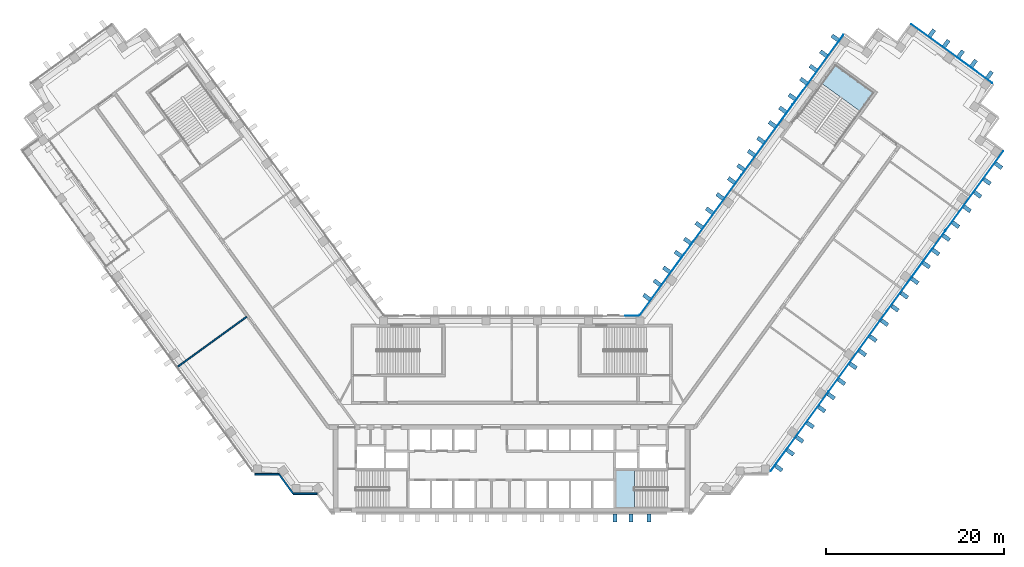
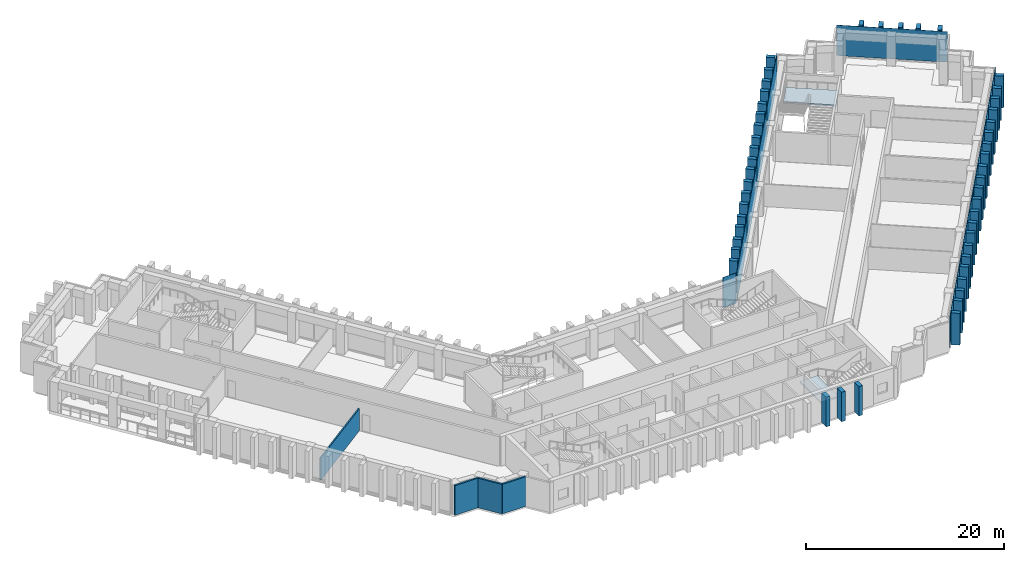
"""IFC4 building model written with IfcOpenShell, lengths in metres."""

from ifc_helpers import new_model, si_unit, direction, frame, frame_2d, origin, origin_2d, place, context, subcontext, project, spatial, polyline, rectangle, outline, extrude, material, layer, layer_set, type_object, element, aggregate, save


model = new_model("IFC4")

# Units and contexts
model_context = context("Model", 3, precision=1e-05, world=origin(), true_north=direction((0.0, 1.0)))
body_context = subcontext(model_context, "Body", "Model", "MODEL_VIEW")
ifc_project = project(units=[si_unit("LENGTHUNIT", "METRE"), si_unit("AREAUNIT", "SQUARE_METRE"), si_unit("VOLUMEUNIT", "CUBIC_METRE"), si_unit("PLANEANGLEUNIT", "RADIAN"), si_unit("MASSUNIT", "GRAM", prefix="KILO")], contexts=[model_context])

# Site, building, storey
site_placement = place(None, origin())
site = spatial("IfcSite", under=ifc_project, at=site_placement, CompositionType="ELEMENT")
building_placement = place(site_placement, origin())
building = spatial("IfcBuilding", under=site, at=building_placement, Name="Quipu Civic Tower", CompositionType="ELEMENT")
storey_1_placement = place(building_placement, frame((0.0, 0.0, 35.0)))
storey_1 = spatial("IfcBuildingStorey", under=building, at=storey_1_placement, Name="L07", CompositionType="ELEMENT", Elevation=35.0)

# Curtain wall
ifc_material_1 = material(Name="Insulated glass unit", Category="glass")
curtain_wall_type = type_object("IfcCurtainWallType", Name="Office curtain wall CW1", PredefinedType="NOTDEFINED", material=ifc_material_1)
curtain_wall_1_placement = place(storey_1_placement, origin())
curtain_wall_1 = element("IfcCurtainWall", 1, at=curtain_wall_1_placement, inside=storey_1, type_object=curtain_wall_type, Name="Office curtain wall CW1 L06 run 16", PredefinedType="NOTDEFINED")

# Storey
storey_2_placement = place(building_placement, frame((0.0, 0.0, 39.0)))
storey_2 = spatial("IfcBuildingStorey", under=building, at=storey_2_placement, Name="L08", CompositionType="ELEMENT", Elevation=39.0)

# Plate
ifc_material_2 = material(Name="Insulated glass unit", Category="glass")
ifc_layer_1 = layer(ifc_material_2, 0.028076171875)
ifc_layer_set_1 = layer_set([ifc_layer_1], Name="Insulated glass unit")
plate_type_1 = type_object("IfcPlateType", Name="Glass panel CW1", PredefinedType="CURTAIN_PANEL", material=ifc_layer_set_1)
plate_1_placement = place(storey_2_placement, frame((32.342529296875, -1.896484375, 0.16015625), z_axis=(0.0, 0.0, 1.0), x_axis=(0.587785559869, 0.809016770908, 0.0)))
plate_1 = element("IfcPlate", 2, at=plate_1_placement, inside=storey_2, type_object=plate_type_1, Name="CW1 panel 1.3", PredefinedType="CURTAIN_PANEL", context=body_context, shape_type="SweptSolid", body=[
    extrude(rectangle(XDim=11.022705078125, YDim=0.028076171875, at=origin_2d()), origin(), (0.0, 0.0, 1.0), 3.760009765625),
])

plate_2_placement = place(storey_2_placement, frame((38.880126953125, 7.101806640625, 0.16015625), z_axis=(0.0, 0.0, 1.0), x_axis=(0.587785559869, 0.809016770908, 0.0)))
plate_2 = element("IfcPlate", 3, at=plate_2_placement, inside=storey_2, type_object=plate_type_1, Name="CW1 panel 2.3", PredefinedType="CURTAIN_PANEL", context=body_context, shape_type="SweptSolid", body=[
    extrude(rectangle(XDim=11.062744140625, YDim=0.028076171875, at=origin_2d()), origin(), (0.0, 0.0, 1.0), 3.760009765625),
])

plate_3_placement = place(storey_2_placement, frame((45.4296875, 16.11669921875, 0.16015625), z_axis=(0.0, 0.0, 1.0), x_axis=(0.587785559869, 0.809016770908, 0.0)))
plate_3 = element("IfcPlate", 4, at=plate_3_placement, inside=storey_2, type_object=plate_type_1, Name="CW1 panel 3.3", PredefinedType="CURTAIN_PANEL", context=body_context, shape_type="SweptSolid", body=[
    extrude(rectangle(XDim=11.062744140625, YDim=0.028076171875, at=origin_2d()), origin(), (0.0, 0.0, 1.0), 3.760009765625),
])

plate_4_placement = place(storey_2_placement, frame((51.967529296875, 25.114990234375, 0.16015625), z_axis=(0.0, 0.0, 1.0), x_axis=(0.587785559869, 0.809016770908, 0.0)))
plate_4 = element("IfcPlate", 5, at=plate_4_placement, inside=storey_2, type_object=plate_type_1, Name="CW1 panel 4.3", PredefinedType="CURTAIN_PANEL", context=body_context, shape_type="SweptSolid", body=[
    extrude(rectangle(XDim=11.022705078125, YDim=0.028076171875, at=origin_2d()), origin(), (0.0, 0.0, 1.0), 3.760009765625),
])

aggregate(curtain_wall_1, [plate_1, plate_2, plate_3, plate_4])

# Curtain wall, plate
curtain_wall_2_placement = place(storey_1_placement, origin())
curtain_wall_2 = element("IfcCurtainWall", 6, at=curtain_wall_2_placement, inside=storey_1, type_object=curtain_wall_type, Name="Office curtain wall CW1 L06 run 21", PredefinedType="NOTDEFINED")
plate_5_placement = place(storey_2_placement, frame((49.447998046875, 40.53173828125, 0.16015625), z_axis=(0.0, 0.0, 1.0), x_axis=(-0.809019348124, 0.587782012621, 0.0)))
plate_5 = element("IfcPlate", 7, at=plate_5_placement, inside=storey_2, type_object=plate_type_1, Name="CW1 panel 1.3", PredefinedType="CURTAIN_PANEL", context=body_context, shape_type="SweptSolid", body=[
    extrude(rectangle(XDim=11.239990234375, YDim=0.028076171875, at=origin_2d()), origin(), (0.0, 0.0, 1.0), 3.760009765625),
])
aggregate(curtain_wall_2, [plate_5])

# Curtain wall, plates
curtain_wall_3_placement = place(storey_1_placement, origin())
curtain_wall_3 = element("IfcCurtainWall", 8, at=curtain_wall_3_placement, inside=storey_1, type_object=curtain_wall_type, Name="Office curtain wall CW1 L06 run 26", PredefinedType="NOTDEFINED")
plate_6_placement = place(storey_2_placement, frame((34.413330078125, 38.722900390625, 0.16015625), z_axis=(0.0, 0.0, 1.0), x_axis=(-0.587785887566, -0.809016532822, 0.0)))
plate_6 = element("IfcPlate", 9, at=plate_6_placement, inside=storey_2, type_object=plate_type_1, Name="CW1 panel 1.3", PredefinedType="CURTAIN_PANEL", context=body_context, shape_type="SweptSolid", body=[
    extrude(rectangle(XDim=9.64111328125, YDim=0.028076171875, at=origin_2d()), origin(), (0.0, 0.0, 1.0), 3.760009765625),
])
plate_7_placement = place(storey_2_placement, frame((28.687744140625, 30.84228515625, 0.16015625), z_axis=(0.0, 0.0, 1.0), x_axis=(-0.587785887566, -0.809016532822, 0.0)))
plate_7 = element("IfcPlate", 10, at=plate_7_placement, inside=storey_2, type_object=plate_type_1, Name="CW1 panel 2.3", PredefinedType="CURTAIN_PANEL", context=body_context, shape_type="SweptSolid", body=[
    extrude(rectangle(XDim=9.68115234375, YDim=0.028076171875, at=origin_2d()), origin(), (0.0, 0.0, 1.0), 3.760009765625),
])
plate_8_placement = place(storey_2_placement, frame((22.950439453125, 22.9453125, 0.16015625), z_axis=(0.0, 0.0, 1.0), x_axis=(-0.587785887566, -0.809016532822, 0.0)))
plate_8 = element("IfcPlate", 11, at=plate_8_placement, inside=storey_2, type_object=plate_type_1, Name="CW1 panel 3.3", PredefinedType="CURTAIN_PANEL", context=body_context, shape_type="SweptSolid", body=[
    extrude(rectangle(XDim=9.68115234375, YDim=0.028076171875, at=origin_2d()), origin(), (0.0, 0.0, 1.0), 3.760009765625),
])
plate_9_placement = place(storey_2_placement, frame((17.224609375, 15.064697265625, 0.16015625), z_axis=(0.0, 0.0, 1.0), x_axis=(-0.587785887566, -0.809016532822, 0.0)))
plate_9 = element("IfcPlate", 12, at=plate_9_placement, inside=storey_2, type_object=plate_type_1, Name="CW1 panel 4.3", PredefinedType="CURTAIN_PANEL", context=body_context, shape_type="SweptSolid", body=[
    extrude(rectangle(XDim=9.64111328125, YDim=0.028076171875, at=origin_2d()), origin(), (0.0, 0.0, 1.0), 3.760009765625),
])
aggregate(curtain_wall_3, [plate_6, plate_7, plate_8, plate_9])

# Curtain wall, plate
curtain_wall_4_placement = place(storey_1_placement, origin())
curtain_wall_4 = element("IfcCurtainWall", 13, at=curtain_wall_4_placement, inside=storey_1, type_object=curtain_wall_type, Name="Office curtain wall CW1 L06 run 27", PredefinedType="NOTDEFINED")
plate_10_placement = place(storey_2_placement, frame((13.49951171875, 11.10009765625, 0.16015625), z_axis=(0.0, 0.0, 1.0), x_axis=(-1.0, 0.0, 0.0)))
plate_10 = element("IfcPlate", 14, at=plate_10_placement, inside=storey_2, type_object=plate_type_1, Name="CW1 panel 1.3", PredefinedType="CURTAIN_PANEL", context=body_context, shape_type="SweptSolid", body=[
    extrude(rectangle(XDim=1.529296875, YDim=0.028076171875, at=origin_2d()), origin(), (0.0, 0.0, 1.0), 3.760009765625),
])
aggregate(curtain_wall_4, [plate_10])

# Plates
ifc_material_3 = material(Name="Precast concrete C40/50", Category="concrete")
plate_type_2 = type_object("IfcPlateType", Name="Precast fin F1", PredefinedType="SHEET", material=ifc_material_3)
for number, where, z_axis, x_axis, name in (
    (15, (11.625, -11.637939453125, 0.0), (0.0, 0.0, 1.0), (1.0, 0.0, 0.0), "Precast fin F1 L08.P07.15"),
    (16, (13.425048828125, -11.637939453125, 0.0), (0.0, 0.0, 1.0), (1.0, 0.0, 0.0), "Precast fin F1 L08.P07.16"),
    (17, (15.425048828125, -11.637939453125, 0.0), (0.0, 0.0, 1.0), (1.0, 0.0, 0.0), "Precast fin F1 L08.P07.17"),
):
    element("IfcPlate", number, at=place(storey_2_placement, frame(where, z_axis=z_axis, x_axis=x_axis)), inside=storey_2, type_object=plate_type_2, Name=name, PredefinedType="SHEET", context=body_context, shape_type="SweptSolid", body=[
        extrude(rectangle(XDim=0.449951171875, YDim=0.89990234375, at=origin_2d()), origin(), (0.0, 0.0, 1.0), 3.64990234375),
    ])
for number, where, z_axis, x_axis, name in (
    (18, (30.014892578125, -6.03564453125, 0.080078125), (0.0, 0.0, 1.0), (0.587785716149, 0.809016657363, 0.0), "Precast fin F1 L08.P13.1"),
    (19, (31.30810546875, -4.255859375, 0.080078125), (0.0, 0.0, 1.0), (0.587785716149, 0.809016657363, 0.0), "Precast fin F1 L08.P13.2"),
    (20, (32.365966796875, -2.7998046875, 0.080078125), (0.0, 0.0, 1.0), (0.587785716149, 0.809016657363, 0.0), "Precast fin F1 L08.P13.3"),
    (21, (33.541748046875, -1.181640625, 0.080078125), (0.0, 0.0, 1.0), (0.587785716149, 0.809016657363, 0.0), "Precast fin F1 L08.P13.4"),
    (22, (34.834716796875, 0.59814453125, 0.080078125), (0.0, 0.0, 1.0), (0.587785716149, 0.809016657363, 0.0), "Precast fin F1 L08.P13.5"),
    (23, (35.892822265625, 2.054443359375, 0.080078125), (0.0, 0.0, 1.0), (0.587785716149, 0.809016657363, 0.0), "Precast fin F1 L08.P13.6"),
    (24, (37.068359375, 3.67236328125, 0.080078125), (0.0, 0.0, 1.0), (0.587785716149, 0.809016657363, 0.0), "Precast fin F1 L08.P13.7"),
    (25, (38.361572265625, 5.452392578125, 0.080078125), (0.0, 0.0, 1.0), (0.587785716149, 0.809016657363, 0.0), "Precast fin F1 L08.P13.8"),
    (26, (39.41943359375, 6.908447265625, 0.080078125), (0.0, 0.0, 1.0), (0.587785716149, 0.809016657363, 0.0), "Precast fin F1 L08.P13.9"),
    (27, (40.594970703125, 8.526611328125, 0.080078125), (0.0, 0.0, 1.0), (0.587785716149, 0.809016657363, 0.0), "Precast fin F1 L08.P13.10"),
    (28, (41.88818359375, 10.306396484375, 0.080078125), (0.0, 0.0, 1.0), (0.587785716149, 0.809016657363, 0.0), "Precast fin F1 L08.P13.11"),
    (29, (43.063720703125, 11.92431640625, 0.080078125), (0.0, 0.0, 1.0), (0.587785716149, 0.809016657363, 0.0), "Precast fin F1 L08.P13.12"),
    (30, (44.121826171875, 13.380615234375, 0.080078125), (0.0, 0.0, 1.0), (0.587785716149, 0.809016657363, 0.0), "Precast fin F1 L08.P13.13"),
    (31, (45.29736328125, 14.998779296875, 0.080078125), (0.0, 0.0, 1.0), (0.587785716149, 0.809016657363, 0.0), "Precast fin F1 L08.P13.14"),
    (32, (46.590576171875, 16.778564453125, 0.080078125), (0.0, 0.0, 1.0), (0.587785716149, 0.809016657363, 0.0), "Precast fin F1 L08.P13.15"),
    (33, (47.6484375, 18.234619140625, 0.080078125), (0.0, 0.0, 1.0), (0.587785716149, 0.809016657363, 0.0), "Precast fin F1 L08.P13.16"),
    (34, (48.823974609375, 19.852783203125, 0.080078125), (0.0, 0.0, 1.0), (0.587785716149, 0.809016657363, 0.0), "Precast fin F1 L08.P13.17"),
    (35, (49.882080078125, 21.30908203125, 0.080078125), (0.0, 0.0, 1.0), (0.587785716149, 0.809016657363, 0.0), "Precast fin F1 L08.P13.18"),
    (36, (51.17529296875, 23.0888671875, 0.080078125), (0.0, 0.0, 1.0), (0.587785716149, 0.809016657363, 0.0), "Precast fin F1 L08.P13.19"),
    (37, (52.350830078125, 24.706787109375, 0.080078125), (0.0, 0.0, 1.0), (0.587785716149, 0.809016657363, 0.0), "Precast fin F1 L08.P13.20"),
    (38, (53.40869140625, 26.1630859375, 0.080078125), (0.0, 0.0, 1.0), (0.587785716149, 0.809016657363, 0.0), "Precast fin F1 L08.P13.21"),
    (39, (54.701904296875, 27.94287109375, 0.080078125), (0.0, 0.0, 1.0), (0.587785716149, 0.809016657363, 0.0), "Precast fin F1 L08.P13.22"),
    (40, (53.6748046875, 38.140625, 0.080078125), (0.0, 0.0, 1.0), (-0.809021318545, 0.587779300537, 0.0), "Precast fin F1 L08.P18.1"),
    (41, (51.89501953125, 39.433837890625, 0.080078125), (0.0, 0.0, 1.0), (-0.809021318545, 0.587779300537, 0.0), "Precast fin F1 L08.P18.2"),
    (42, (50.438720703125, 40.49169921875, 0.080078125), (0.0, 0.0, 1.0), (-0.809021318545, 0.587779300537, 0.0), "Precast fin F1 L08.P18.3"),
    (43, (48.82080078125, 41.66748046875, 0.080078125), (0.0, 0.0, 1.0), (-0.809021318545, 0.587779300537, 0.0), "Precast fin F1 L08.P18.4"),
    (44, (47.20263671875, 42.843017578125, 0.080078125), (0.0, 0.0, 1.0), (-0.809021318545, 0.587779300537, 0.0), "Precast fin F1 L08.P18.5"),
    (45, (36.334716796875, 42.302978515625, 0.080078125), (0.0, 0.0, 1.0), (-0.587784944053, -0.809017218324, 0.0), "Precast fin F1 L08.P23.1"),
    (46, (35.04150390625, 40.52294921875, 0.080078125), (0.0, 0.0, 1.0), (-0.587784944053, -0.809017218324, 0.0), "Precast fin F1 L08.P23.2"),
    (47, (33.865966796875, 38.905029296875, 0.080078125), (0.0, 0.0, 1.0), (-0.587784944053, -0.809017218324, 0.0), "Precast fin F1 L08.P23.3"),
    (48, (32.807861328125, 37.44873046875, 0.080078125), (0.0, 0.0, 1.0), (-0.587784944053, -0.809017218324, 0.0), "Precast fin F1 L08.P23.4"),
    (49, (31.5146484375, 35.6689453125, 0.080078125), (0.0, 0.0, 1.0), (-0.587784944053, -0.809017218324, 0.0), "Precast fin F1 L08.P23.5"),
    (50, (30.456787109375, 34.212646484375, 0.080078125), (0.0, 0.0, 1.0), (-0.587784944053, -0.809017218324, 0.0), "Precast fin F1 L08.P23.6"),
    (51, (29.28125, 32.5947265625, 0.080078125), (0.0, 0.0, 1.0), (-0.587784944053, -0.809017218324, 0.0), "Precast fin F1 L08.P23.7"),
    (52, (27.988037109375, 30.81494140625, 0.080078125), (0.0, 0.0, 1.0), (-0.587784944053, -0.809017218324, 0.0), "Precast fin F1 L08.P23.8"),
    (53, (26.929931640625, 29.358642578125, 0.080078125), (0.0, 0.0, 1.0), (-0.587784944053, -0.809017218324, 0.0), "Precast fin F1 L08.P23.9"),
    (54, (25.75439453125, 27.740478515625, 0.080078125), (0.0, 0.0, 1.0), (-0.587784944053, -0.809017218324, 0.0), "Precast fin F1 L08.P23.10"),
    (55, (24.696533203125, 26.284423828125, 0.080078125), (0.0, 0.0, 1.0), (-0.587784944053, -0.809017218324, 0.0), "Precast fin F1 L08.P23.11"),
    (56, (23.4033203125, 24.50439453125, 0.080078125), (0.0, 0.0, 1.0), (-0.587784944053, -0.809017218324, 0.0), "Precast fin F1 L08.P23.12"),
    (57, (22.227783203125, 22.886474609375, 0.080078125), (0.0, 0.0, 1.0), (-0.587784944053, -0.809017218324, 0.0), "Precast fin F1 L08.P23.13"),
    (58, (21.05224609375, 21.268310546875, 0.080078125), (0.0, 0.0, 1.0), (-0.587784944053, -0.809017218324, 0.0), "Precast fin F1 L08.P23.14"),
    (59, (19.759033203125, 19.488525390625, 0.080078125), (0.0, 0.0, 1.0), (-0.587784944053, -0.809017218324, 0.0), "Precast fin F1 L08.P23.15"),
    (60, (18.701171875, 18.032470703125, 0.080078125), (0.0, 0.0, 1.0), (-0.587784944053, -0.809017218324, 0.0), "Precast fin F1 L08.P23.16"),
    (61, (17.407958984375, 16.25244140625, 0.080078125), (0.0, 0.0, 1.0), (-0.587784944053, -0.809017218324, 0.0), "Precast fin F1 L08.P23.17"),
    (62, (16.349853515625, 14.79638671875, 0.080078125), (0.0, 0.0, 1.0), (-0.587784944053, -0.809017218324, 0.0), "Precast fin F1 L08.P23.18"),
    (63, (15.17431640625, 13.17822265625, 0.080078125), (0.0, 0.0, 1.0), (-0.587784944053, -0.809017218324, 0.0), "Precast fin F1 L08.P23.19"),
):
    element("IfcPlate", number, at=place(storey_2_placement, frame(where, z_axis=z_axis, x_axis=x_axis)), inside=storey_2, type_object=plate_type_2, Name=name, PredefinedType="SHEET", context=body_context, shape_type="SweptSolid", body=[
        extrude(rectangle(XDim=0.449951171875, YDim=0.89990234375, at=origin_2d()), origin(), (0.0, 0.0, 1.0), 3.919921875),
    ])

# Stair, slab
ifc_material_4 = material(Name="Concrete C40/50", Category="concrete")
stair_type_1 = type_object("IfcStairType", Name="Half turn stair 2000", PredefinedType="HALF_TURN_STAIR", material=ifc_material_4)
stair_1_placement = place(storey_2_placement, origin())
stair_1 = element("IfcStair", 64, at=stair_1_placement, inside=storey_2, type_object=stair_type_1, Name="Exit stair 2", PredefinedType="HALF_TURN_STAIR")
ifc_material_5 = material(Name="Concrete C40/50", Category="concrete")
ifc_layer_2 = layer(ifc_material_5, 0.199951171875)
ifc_layer_set_2 = layer_set([ifc_layer_2], Name="Concrete C40/50")
slab_type = type_object("IfcSlabType", Name="Stair landing 200", PredefinedType="LANDING", material=ifc_layer_set_2)
slab_1_placement = place(storey_2_placement, frame((0.0, 0.0, 1.800048828125)))
slab_1 = element("IfcSlab", 65, at=slab_1_placement, type_object=slab_type, Name="ST-2 landing 1", PredefinedType="LANDING", context=body_context, shape_type="SweptSolid", body=[
    extrude(outline(polyline([(13.780029296875, -6.25), (11.699951171875, -6.25), (11.699951171875, -10.5), (13.780029296875, -10.5), (13.780029296875, -6.25)])), origin(), (0.0, 0.0, 1.0), 0.199951171875),
])
aggregate(stair_1, [slab_1])

ifc_material_6 = material(Name="Concrete C40/50", Category="concrete")
stair_type_2 = type_object("IfcStairType", Name="Half turn stair 2600", PredefinedType="HALF_TURN_STAIR", material=ifc_material_6)
stair_2_placement = place(storey_2_placement, origin())
stair_2 = element("IfcStair", 66, at=stair_2_placement, inside=storey_2, type_object=stair_type_2, Name="Exit stair 7", PredefinedType="HALF_TURN_STAIR")
slab_2_placement = place(storey_2_placement, frame((0.0, 0.0, 1.800048828125)))
slab_2 = element("IfcSlab", 67, at=slab_2_placement, type_object=slab_type, Name="ST-7 landing 1", PredefinedType="LANDING", context=body_context, shape_type="SweptSolid", body=[
    extrude(outline(polyline([(39.16552734375, 34.034912109375), (40.69384765625, 36.138427734375), (36.365478515625, 39.282958984375), (34.837158203125, 37.179443359375), (39.16552734375, 34.034912109375)])), origin(), (0.0, 0.0, 1.0), 0.199951171875),
])
aggregate(stair_2, [slab_2])

# Walls
ifc_material_7 = material(Name="Double gypsum plasterboard with mineral wool")
ifc_layer_3 = layer(ifc_material_7, 0.14990234375)
ifc_layer_set_3 = layer_set([ifc_layer_3], Name="Double gypsum plasterboard with mineral wool")
wall_type_1 = type_object("IfcWallType", Name="Acoustic partition 150 plasterboard", PredefinedType="PARTITIONING", material=ifc_layer_set_3)
wall_1_placement = place(storey_2_placement, frame((-29.769287109375, 10.979736328125, 0.0), z_axis=(0.0, 0.0, 1.0), x_axis=(-0.809036661777, -0.587758181483, 0.0)))
element("IfcWall", 68, at=wall_1_placement, inside=storey_2, type_object=wall_type_1, Name="Partition P12", PredefinedType="PARTITIONING", context=body_context, shape_type="SweptSolid", body=[
    extrude(rectangle(XDim=9.55029296875, YDim=0.14990234375, at=frame_2d((4.775146484375, 0.0))), origin(), (0.0, 0.0, 1.0), 2.75),
])
ifc_material_8 = material(Name="Precast concrete C40/50", Category="concrete")
wall_type_2 = type_object("IfcWallType", Name="Precast cladding wall", PredefinedType="SOLIDWALL", material=ifc_material_8)
wall_2_placement = place(storey_2_placement, frame((-28.829833984375, -6.71923828125, 0.0), z_axis=(0.0, 0.0, 1.0), x_axis=(1.0, 0.0, 0.0)))
element("IfcWall", 69, at=wall_2_placement, inside=storey_2, type_object=wall_type_2, Name="Precast cladding wall L08 P01", PredefinedType="SOLIDWALL", context=body_context, shape_type="SweptSolid", body=[
    extrude(rectangle(XDim=2.699951171875, YDim=0.199951171875, at=frame_2d((1.35009765625, 0.0))), origin(), (0.0, 0.0, 1.0), 3.64990234375),
])
wall_3_placement = place(storey_2_placement, frame((-26.1201171875, -6.72412109375, 0.0), z_axis=(0.0, 0.0, 1.0), x_axis=(0.587720002413, -0.809064397168, 0.0)))
element("IfcWall", 70, at=wall_3_placement, inside=storey_2, type_object=wall_type_2, Name="Precast cladding wall L08 P02", PredefinedType="SOLIDWALL", context=body_context, shape_type="SweptSolid", body=[
    extrude(rectangle(XDim=2.7001953125, YDim=0.199951171875, at=frame_2d((1.35009765625, 0.0))), origin(), (0.0, 0.0, 1.0), 3.64990234375),
])
wall_4_placement = place(storey_2_placement, frame((-24.542724609375, -8.90380859375, 0.0), z_axis=(0.0, 0.0, 1.0), x_axis=(1.0, 0.0, 0.0)))
element("IfcWall", 71, at=wall_4_placement, inside=storey_2, type_object=wall_type_2, Name="Precast cladding wall L08 P03", PredefinedType="SOLIDWALL", context=body_context, shape_type="SweptSolid", body=[
    extrude(rectangle(XDim=2.699951171875, YDim=0.199951171875, at=frame_2d((1.35009765625, 0.0))), origin(), (0.0, 0.0, 1.0), 3.64990234375),
])

save(model, "model.ifc")
